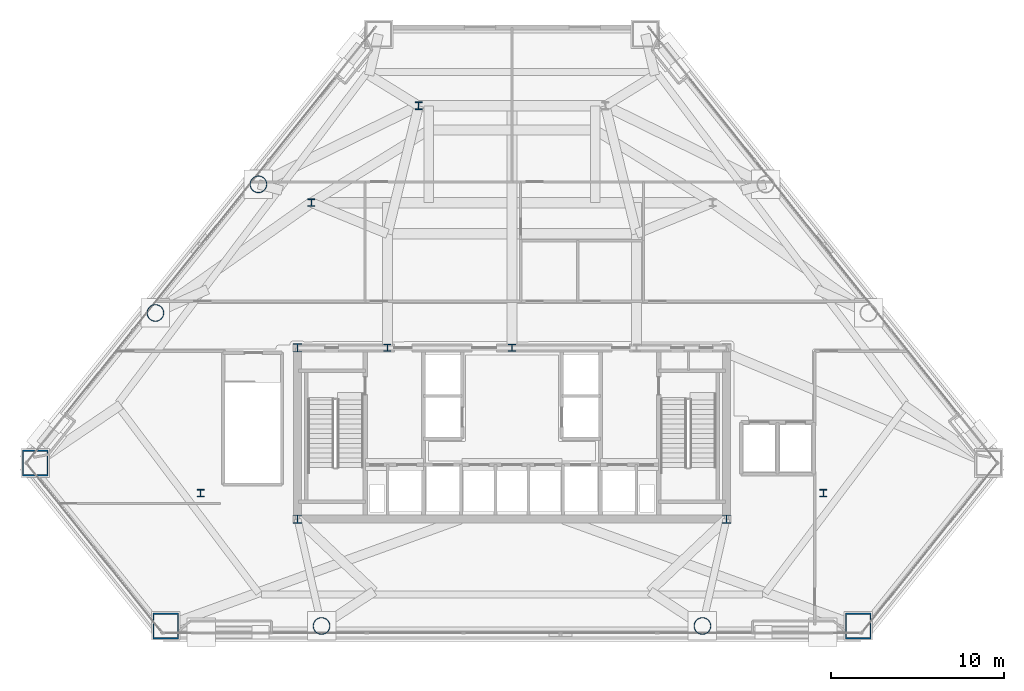
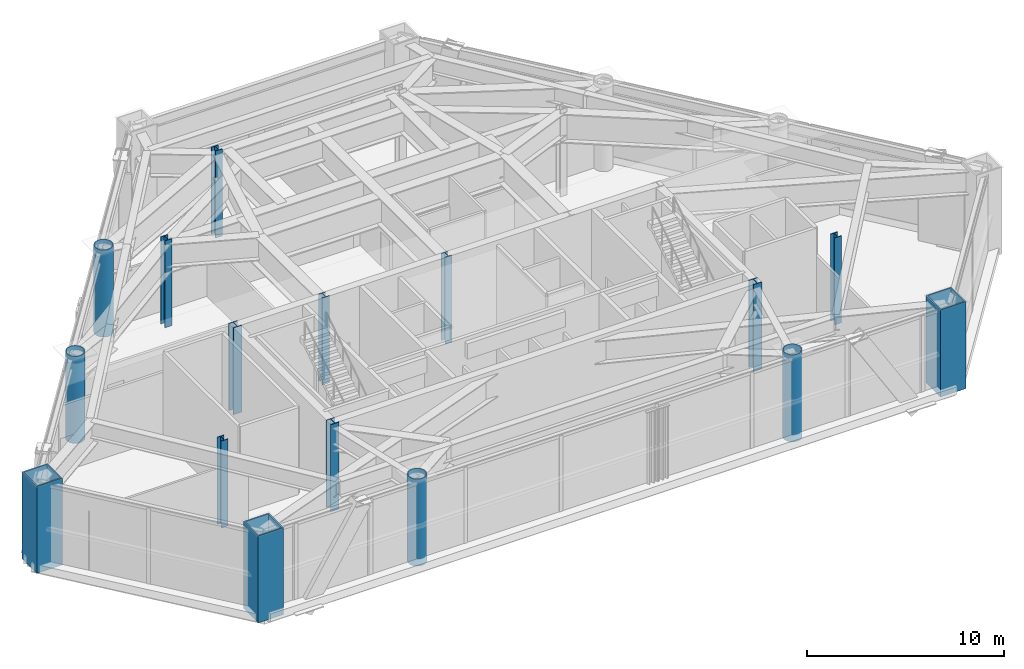
# One storey, part 1 of 13: 16 columns.
"""IFC4 building model written with IfcOpenShell, lengths in metres."""

from ifc_helpers import new_model, si_unit, direction, frame, origin, origin_2d, place, context, subcontext, project, spatial, hollow_rectangle, hollow_circle, i_section, extrude, material, material_profile, profile_set, type_object, element, save


model = new_model("IFC4")

# Units and contexts
model_context = context("Model", 3, precision=1e-05, world=origin(), true_north=direction((0.0, 1.0)))
body_context = subcontext(model_context, "Body", "Model", "MODEL_VIEW")
ifc_project = project(units=[si_unit("LENGTHUNIT", "METRE"), si_unit("AREAUNIT", "SQUARE_METRE"), si_unit("VOLUMEUNIT", "CUBIC_METRE"), si_unit("PLANEANGLEUNIT", "RADIAN"), si_unit("MASSUNIT", "GRAM", prefix="KILO")], contexts=[model_context])

# Site, building, storey
site_placement = place(None, origin())
site = spatial("IfcSite", under=ifc_project, at=site_placement, CompositionType="ELEMENT")
building_placement = place(site_placement, origin())
building = spatial("IfcBuilding", under=site, at=building_placement, Name="Talgorran Terracotta Tower", CompositionType="ELEMENT")
storey_placement = place(building_placement, frame((0.0, 0.0, 18.89990234375)))
storey = spatial("IfcBuildingStorey", under=building, at=storey_placement, Name="L04", CompositionType="ELEMENT", Elevation=18.89990234375)

# Columns
ifc_material_1 = material(Name="Steel S355 (300PLUS)", Category="steel")
ifc_material_profile_1 = material_profile(ifc_material_1, i_section(OverallWidth=0.39990234375, OverallDepth=0.43994140625, WebThickness=0.028076171875, FlangeThickness=0.0400390625, at=origin_2d()), Name="400WC328")
ifc_profile_set_1 = profile_set([ifc_material_profile_1], Name="Steel S355 (300PLUS)")
column_type_1 = type_object("IfcColumnType", Name="COL_400WC328", PredefinedType="COLUMN", material=ifc_profile_set_1)
for number, where, z_axis, x_axis, name in (
    (1, (-18.0, -12.60009765625, 0.0), (0.0, 0.0, 1.0), (1.0, 0.0, 0.0), "L04 Podium Column PC1"),
    (2, (18.0, -12.60009765625, 0.0), (0.0, 0.0, 1.0), (1.0, 0.0, 0.0), "L04 Podium Column PC2"),
    (3, (-11.60009765625, 4.199951171875, 0.0), (0.0, 0.0, 1.0), (1.0, 0.0, 0.0), "L04 Podium Column PC3"),
    (4, (-5.39990234375, 9.800048828125, 0.0), (0.0, 0.0, 1.0), (1.0, 0.0, 0.0), "L04 Podium Column PC5"),
):
    element("IfcColumn", number, at=place(storey_placement, frame(where, z_axis=z_axis, x_axis=x_axis)), inside=storey, type_object=column_type_1, Name=name, PredefinedType="COLUMN", context=body_context, shape_type="SweptSolid", body=[
        extrude(i_section(OverallWidth=0.39990234375, OverallDepth=0.43994140625, WebThickness=0.028076171875, FlangeThickness=0.0400390625, at=origin_2d()), origin(), (0.0, 0.0, 1.0), 5.400146484375),
    ])
ifc_material_profile_2 = material_profile(ifc_material_1, i_section(OverallWidth=0.5, OverallDepth=0.48193359375, WebThickness=0.0400390625, FlangeThickness=0.044921875, at=origin_2d()), Name="500WC440")
ifc_profile_set_2 = profile_set([ifc_material_profile_2], Name="Steel S355 (300PLUS)")
column_type_2 = type_object("IfcColumnType", Name="COL_500WC440", PredefinedType="COLUMN", material=ifc_profile_set_2)
for number, where, z_axis, x_axis, name in (
    (5, (-12.39990234375, -14.10009765625, 0.0), (0.0, 0.0, 1.0), (1.0, 0.0, 0.0), "L04 Core Boundary Column CC1"),
    (6, (12.39990234375, -14.10009765625, 0.0), (0.0, 0.0, 1.0), (1.0, 0.0, 0.0), "L04 Core Boundary Column CC2"),
    (7, (-12.39990234375, -4.199951171875, 0.0), (0.0, 0.0, 1.0), (1.0, 0.0, 0.0), "L04 Core Boundary Column CC4"),
):
    element("IfcColumn", number, at=place(storey_placement, frame(where, z_axis=z_axis, x_axis=x_axis)), inside=storey, type_object=column_type_2, Name=name, PredefinedType="COLUMN", context=body_context, shape_type="SweptSolid", body=[
        extrude(i_section(OverallWidth=0.5, OverallDepth=0.48193359375, WebThickness=0.0400390625, FlangeThickness=0.044921875, at=origin_2d()), origin(), (0.0, 0.0, 1.0), 5.400146484375),
    ])
ifc_material_2 = material(Name="Steel Grade 350 (350L0)", Category="steel")
ifc_material_profile_3 = material_profile(ifc_material_2, hollow_rectangle(XDim=1.5, YDim=1.5, WallThickness=0.074951171875, at=origin_2d()), Name="CFT1500X1500X75")
ifc_profile_set_3 = profile_set([ifc_material_profile_3], Name="Steel Grade 350 (350L0)")
column_type_3 = type_object("IfcColumnType", Name="COL_CFT_1500", PredefinedType="COLUMN", material=ifc_profile_set_3)
for number, where, z_axis, x_axis, name in (
    (8, (-27.56982421875, -10.85595703125, 0.0), (0.0, 0.0, 1.0), (1.0, 0.0, 0.0), "L04 Corner CFT Mega-Column MC1"),
    (9, (-20.022216796875, -20.280029296875, 0.0), (0.0, 0.0, 1.0), (1.0, 0.0, 0.0), "L04 Corner CFT Mega-Column MC2"),
    (10, (20.022216796875, -20.280029296875, 0.0), (0.0, 0.0, 1.0), (1.0, 0.0, 0.0), "L04 Corner CFT Mega-Column MC3"),
):
    element("IfcColumn", number, at=place(storey_placement, frame(where, z_axis=z_axis, x_axis=x_axis)), inside=storey, type_object=column_type_3, Name=name, PredefinedType="COLUMN", context=body_context, shape_type="SweptSolid", body=[
        extrude(hollow_rectangle(XDim=1.5, YDim=1.5, WallThickness=0.074951171875, at=origin_2d()), origin(), (0.0, 0.0, 1.0), 5.400146484375),
    ])
ifc_material_profile_4 = material_profile(ifc_material_2, hollow_circle(Radius=0.5, WallThickness=0.044921875, at=origin_2d()), Name="CHS1000X45")
ifc_profile_set_4 = profile_set([ifc_material_profile_4], Name="Steel Grade 350 (350L0)")
column_type_4 = type_object("IfcColumnType", Name="COL_CHS_1000", PredefinedType="COLUMN", material=ifc_profile_set_4)
for number, where, z_axis, x_axis, name in (
    (11, (-11.01220703125, -20.280029296875, 0.0), (0.0, 0.0, 1.0), (1.0, 0.0, 0.0), "L04 Facet Perimeter Column FC1"),
    (12, (11.01220703125, -20.280029296875, 0.0), (0.0, 0.0, 1.0), (1.0, 0.0, 0.0), "L04 Facet Perimeter Column FC2"),
    (13, (-14.663818359375, 5.2587890625, 0.0), (0.0, 0.0, 1.0), (1.0, 0.0, 0.0), "L04 Facet Perimeter Column FC5"),
    (14, (-20.620361328125, -2.1787109375, 0.0), (0.0, 0.0, 1.0), (1.0, 0.0, 0.0), "L04 Facet Perimeter Column FC6"),
):
    element("IfcColumn", number, at=place(storey_placement, frame(where, z_axis=z_axis, x_axis=x_axis)), inside=storey, type_object=column_type_4, Name=name, PredefinedType="COLUMN", context=body_context, shape_type="SweptSolid", body=[
        extrude(hollow_circle(Radius=0.5, WallThickness=0.044921875, at=origin_2d()), origin(), (0.0, 0.0, 1.0), 5.400146484375),
    ])
ifc_material_profile_5 = material_profile(ifc_material_1, i_section(OverallWidth=0.405029296875, OverallDepth=0.4140625, WebThickness=0.02197265625, FlangeThickness=0.031982421875, at=origin_2d()), Name="400WC270")
ifc_profile_set_5 = profile_set([ifc_material_profile_5], Name="Steel S355 (300PLUS)")
column_type_5 = type_object("IfcColumnType", Name="COL_PIL_400WC270", PredefinedType="PILASTER", material=ifc_profile_set_5)
for number, where, z_axis, x_axis, name in (
    (15, (-7.199951171875, -4.199951171875, 0.0), (0.0, 0.0, 1.0), (1.0, 0.0, 0.0), "L04 Core Shear Pilaster CP1"),
    (16, (0.0, -4.199951171875, 0.0), (0.0, 0.0, 1.0), (1.0, 0.0, 0.0), "L04 Core Shear Pilaster CP2"),
):
    element("IfcColumn", number, at=place(storey_placement, frame(where, z_axis=z_axis, x_axis=x_axis)), inside=storey, type_object=column_type_5, Name=name, PredefinedType="PILASTER", context=body_context, shape_type="SweptSolid", body=[
        extrude(i_section(OverallWidth=0.405029296875, OverallDepth=0.4140625, WebThickness=0.02197265625, FlangeThickness=0.031982421875, at=origin_2d()), origin(), (0.0, 0.0, 1.0), 5.400146484375),
    ])

save(model, "model.ifc")
